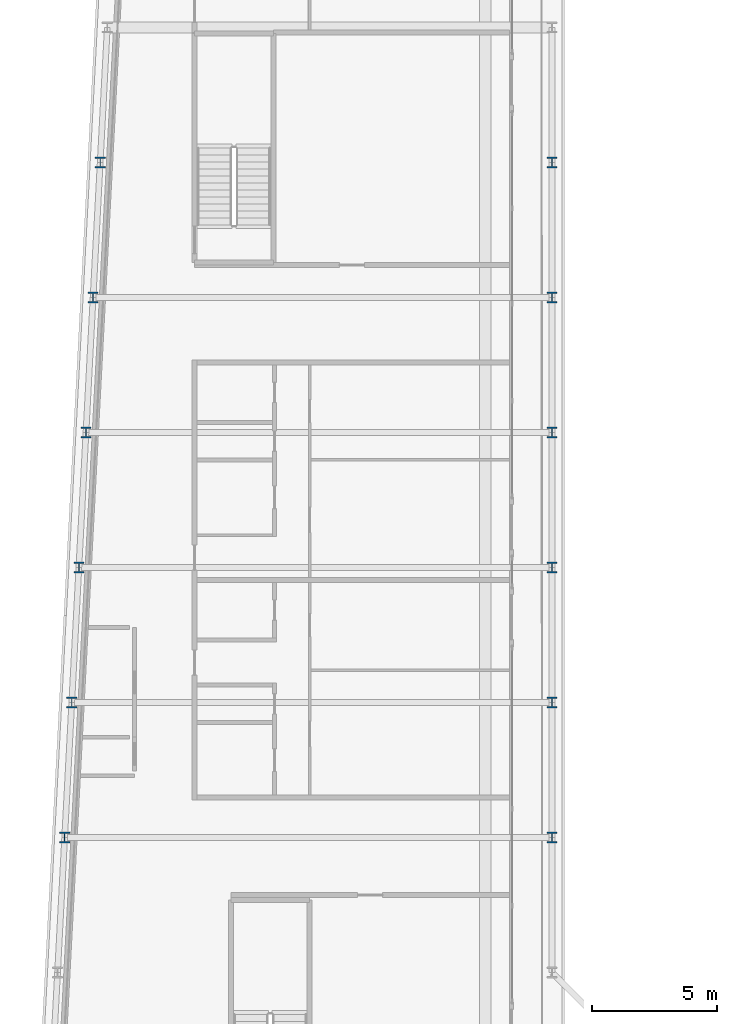
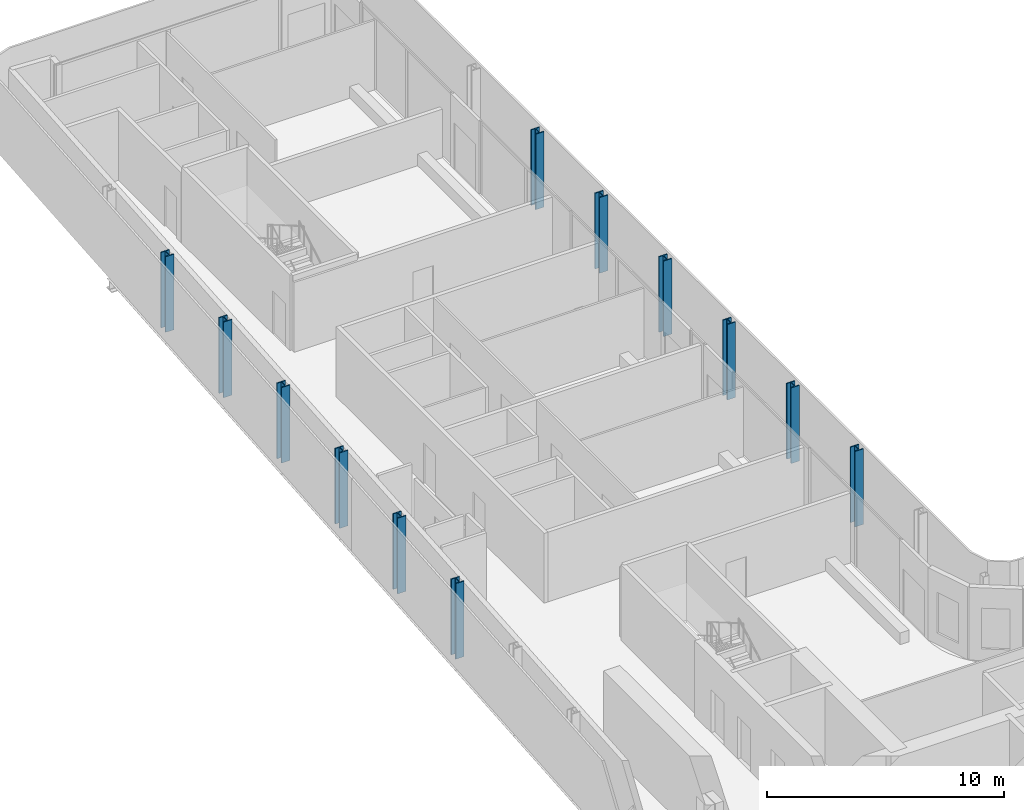
# One storey, part 3 of 30: 12 columns.
"""IFC4 building model written with IfcOpenShell, lengths in metres."""

from ifc_helpers import new_model, si_unit, direction, frame, origin, origin_2d, place, context, subcontext, project, spatial, i_section, extrude, material, material_profile, profile_set, type_object, element, save


model = new_model("IFC4")

# Units and contexts
model_context = context("Model", 3, precision=1e-05, world=origin(), true_north=direction((0.0, 1.0)))
body_context = subcontext(model_context, "Body", "Model", "MODEL_VIEW")
ifc_project = project(units=[si_unit("LENGTHUNIT", "METRE"), si_unit("AREAUNIT", "SQUARE_METRE"), si_unit("VOLUMEUNIT", "CUBIC_METRE"), si_unit("PLANEANGLEUNIT", "RADIAN"), si_unit("MASSUNIT", "GRAM", prefix="KILO")], contexts=[model_context])

# Site, building, storey
site_placement = place(None, origin())
site = spatial("IfcSite", under=ifc_project, at=site_placement, CompositionType="ELEMENT")
building_placement = place(site_placement, origin())
building = spatial("IfcBuilding", under=site, at=building_placement, Name="Kheshtan School and Residences Tower", CompositionType="ELEMENT")
storey_placement = place(building_placement, frame((0.0, 0.0, 199.39990234375)))
storey = spatial("IfcBuildingStorey", under=building, at=storey_placement, Name="L47", CompositionType="ELEMENT", Elevation=199.39990234375)

# Columns
ifc_material = material(Name="Steel ASTM A992 Grade 50", Category="steel")
ifc_material_profile = material_profile(ifc_material, i_section(OverallWidth=0.408935546875, OverallDepth=0.425048828125, WebThickness=0.03271484375, FlangeThickness=0.052490234375, FilletRadius=0.0126953125, at=origin_2d()), Name="W360x421")
ifc_profile_set = profile_set([ifc_material_profile], Name="Steel ASTM A992 Grade 50")
column_type = type_object("IfcColumnType", Name="Column C3 W360x421 ASTM A992 Grade 50", PredefinedType="COLUMN", material=ifc_profile_set)
for number, where, z_axis, x_axis, name in (
    (1, (28.10595703125, 56.39990234375, 0.0), (0.0, 0.0, 1.0), (1.0, 0.0, 0.0), "Column C080"),
    (2, (47.60009765625, 56.39990234375, 0.0), (0.0, 0.0, 1.0), (1.0, 0.0, 0.0), "Column C081"),
    (3, (28.389892578125, 61.800048828125, 0.0), (0.0, 0.0, 1.0), (1.0, 0.0, 0.0), "Column C082"),
    (4, (47.60009765625, 61.800048828125, 0.0), (0.0, 0.0, 1.0), (1.0, 0.0, 0.0), "Column C083"),
    (5, (28.674072265625, 67.199951171875, 0.0), (0.0, 0.0, 1.0), (1.0, 0.0, 0.0), "Column C084"),
    (6, (47.60009765625, 67.199951171875, 0.0), (0.0, 0.0, 1.0), (1.0, 0.0, 0.0), "Column C085"),
    (7, (28.9580078125, 72.60009765625, 0.0), (0.0, 0.0, 1.0), (1.0, 0.0, 0.0), "Column C086"),
    (8, (47.60009765625, 72.60009765625, 0.0), (0.0, 0.0, 1.0), (1.0, 0.0, 0.0), "Column C087"),
    (9, (29.242919921875, 78.0, 0.0), (0.0, 0.0, 1.0), (1.0, 0.0, 0.0), "Column C088"),
    (10, (47.60009765625, 78.0, 0.0), (0.0, 0.0, 1.0), (1.0, 0.0, 0.0), "Column C089"),
    (11, (29.527099609375, 83.39990234375, 0.0), (0.0, 0.0, 1.0), (1.0, 0.0, 0.0), "Column C090"),
    (12, (47.60009765625, 83.39990234375, 0.0), (0.0, 0.0, 1.0), (1.0, 0.0, 0.0), "Column C091"),
):
    element("IfcColumn", number, at=place(storey_placement, frame(where, z_axis=z_axis, x_axis=x_axis)), inside=storey, type_object=column_type, Name=name, PredefinedType="COLUMN", context=body_context, shape_type="SweptSolid", body=[
        extrude(i_section(OverallWidth=0.408935546875, OverallDepth=0.425048828125, WebThickness=0.03271484375, FlangeThickness=0.052490234375, FilletRadius=0.0126953125, at=origin_2d()), origin(), (0.0, 0.0, 1.0), 3.900146484375),
    ])

save(model, "model.ifc")
